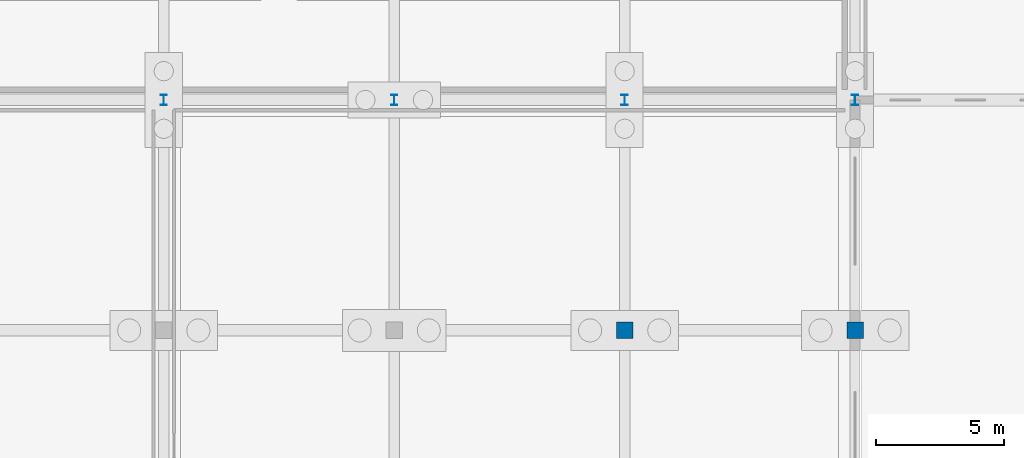
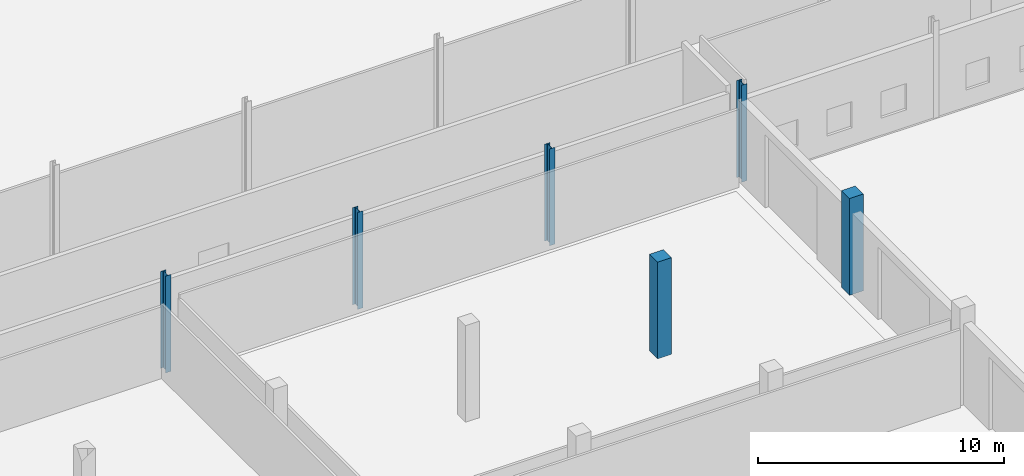
# One storey, part 26 of 112: 6 columns.
"""IFC4 building model written with IfcOpenShell, lengths in metres."""

from ifc_helpers import new_model, si_unit, direction, frame, origin, origin_2d, place, context, subcontext, project, spatial, rectangle, i_section, extrude, material, material_profile, profile_set, type_object, element, save


model = new_model("IFC4")

# Units and contexts
model_context = context("Model", 3, precision=1e-05, world=origin(), true_north=direction((0.0, 1.0)))
body_context = subcontext(model_context, "Body", "Model", "MODEL_VIEW")
ifc_project = project(units=[si_unit("LENGTHUNIT", "METRE"), si_unit("AREAUNIT", "SQUARE_METRE"), si_unit("VOLUMEUNIT", "CUBIC_METRE"), si_unit("PLANEANGLEUNIT", "RADIAN"), si_unit("MASSUNIT", "GRAM", prefix="KILO")], contexts=[model_context])

# Site, building, storey
site_placement = place(None, origin())
site = spatial("IfcSite", under=ifc_project, at=site_placement, CompositionType="ELEMENT")
building_placement = place(site_placement, origin())
building = spatial("IfcBuilding", under=site, at=building_placement, Name="Tharagai Park Tramway Depot", CompositionType="ELEMENT")
storey_placement = place(building_placement, origin())
storey = spatial("IfcBuildingStorey", under=building, at=storey_placement, Name="L00", CompositionType="ELEMENT", Elevation=0.0)

# Columns
ifc_material_1 = material(Name="Steel E350", Category="steel")
ifc_material_profile_1 = material_profile(ifc_material_1, i_section(OverallWidth=0.25, OverallDepth=0.39990234375, WebThickness=0.010498046875, FlangeThickness=0.0126953125, FilletRadius=0.013916015625, at=origin_2d()), Name="ISHB 400")
ifc_profile_set_1 = profile_set([ifc_material_profile_1], Name="Steel E350")
column_type_1 = type_object("IfcColumnType", Name="CL-06", PredefinedType="COLUMN", material=ifc_profile_set_1)
for number, where, z_axis, x_axis, name in (
    (1, (63.0, 90.0, 0.0), (0.0, 0.0, 1.0), (1.0, 0.0, 0.0), "L00 Structural Column CL-06 (63,90)"),
    (2, (72.0, 90.0, 0.0), (0.0, 0.0, 1.0), (1.0, 0.0, 0.0), "L00 Structural Column CL-06 (72,90)"),
    (3, (81.0, 90.0, 0.0), (0.0, 0.0, 1.0), (1.0, 0.0, 0.0), "L00 Structural Column CL-06 (81,90)"),
    (4, (90.0, 90.0, 0.0), (0.0, 0.0, 1.0), (1.0, 0.0, 0.0), "L00 Structural Column CL-06 (90,90)"),
):
    element("IfcColumn", number, at=place(storey_placement, frame(where, z_axis=z_axis, x_axis=x_axis)), inside=storey, type_object=column_type_1, Name=name, PredefinedType="COLUMN", context=body_context, shape_type="SweptSolid", body=[
        extrude(i_section(OverallWidth=0.25, OverallDepth=0.39990234375, WebThickness=0.010498046875, FlangeThickness=0.0126953125, FilletRadius=0.013916015625, at=origin_2d()), origin(), (0.0, 0.0, 1.0), 4.800048828125),
    ])
ifc_material_2 = material(Name="Concrete M40", Category="concrete")
ifc_material_profile_2 = material_profile(ifc_material_2, rectangle(XDim=0.64990234375, YDim=0.64990234375, at=origin_2d()), Name="RC 650x650")
ifc_profile_set_2 = profile_set([ifc_material_profile_2], Name="Concrete M40")
column_type_2 = type_object("IfcColumnType", Name="CL-12", PredefinedType="COLUMN", material=ifc_profile_set_2)
for number, where, z_axis, x_axis, name in (
    (5, (81.0, 81.0, 0.0), (0.0, 0.0, 1.0), (1.0, 0.0, 0.0), "L00 Structural Column CL-12 (81,81)"),
    (6, (90.0, 81.0, 0.0), (0.0, 0.0, 1.0), (1.0, 0.0, 0.0), "L00 Structural Column CL-12 (90,81)"),
):
    element("IfcColumn", number, at=place(storey_placement, frame(where, z_axis=z_axis, x_axis=x_axis)), inside=storey, type_object=column_type_2, Name=name, PredefinedType="COLUMN", context=body_context, shape_type="SweptSolid", body=[
        extrude(rectangle(XDim=0.64990234375, YDim=0.64990234375, at=origin_2d()), origin(), (0.0, 0.0, 1.0), 4.800048828125),
    ])

save(model, "model.ifc")
